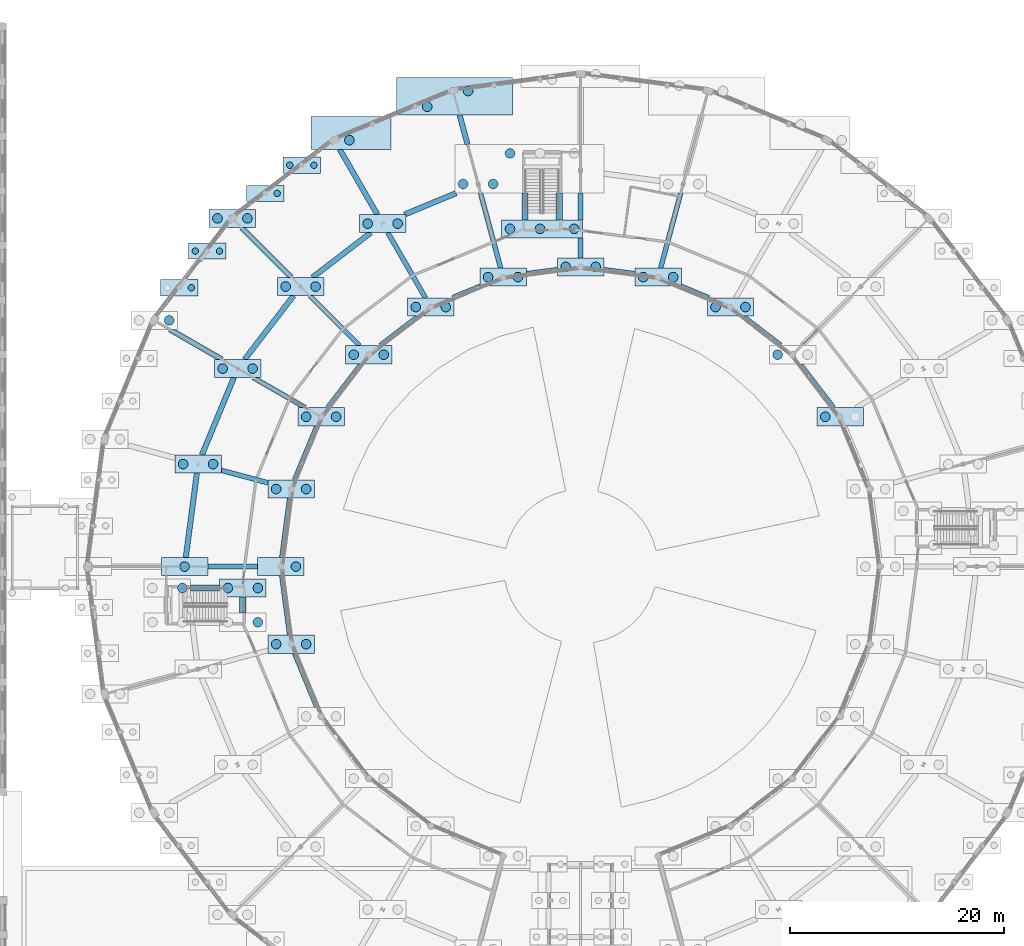
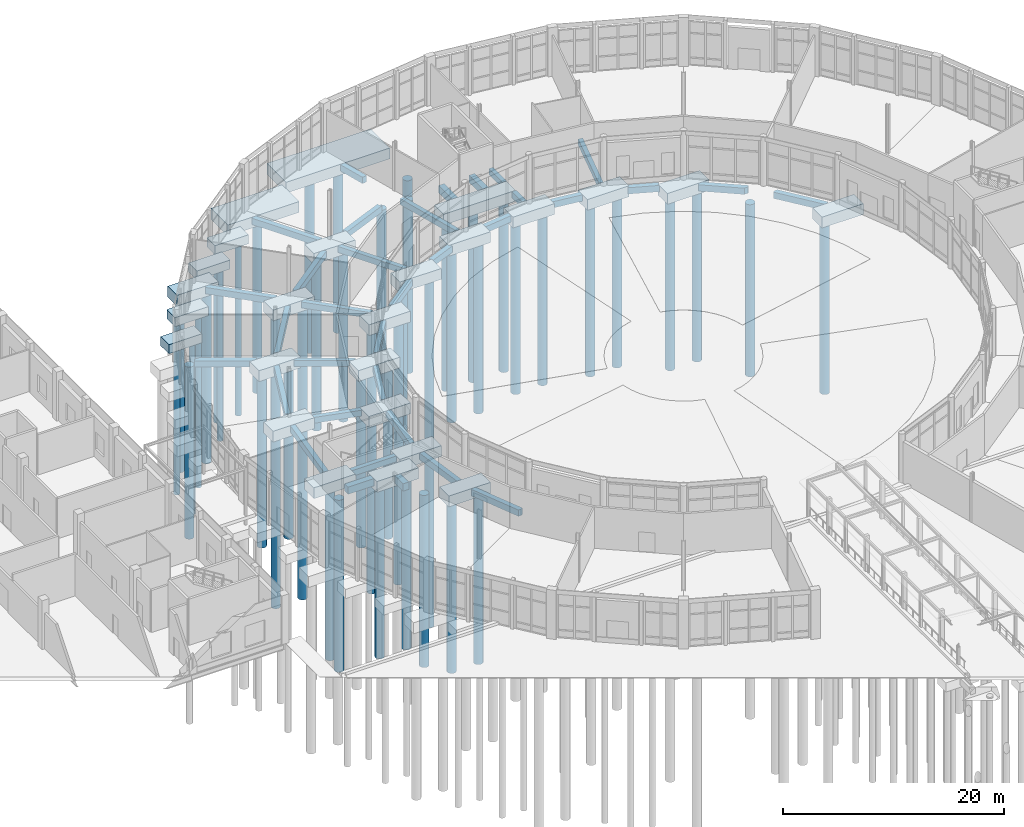
# One storey, part 3 of 137: 59 footings, 52 piles.
"""IFC4 building model written with IfcOpenShell, lengths in metres."""

from ifc_helpers import new_model, si_unit, direction, frame, origin, origin_2d, place, context, subcontext, project, spatial, polyline, rectangle, circle, outline, extrude, material, material_profile, profile_set, type_object, element, save


model = new_model("IFC4")

# Units and contexts
model_context = context("Model", 3, precision=1e-05, world=origin(), true_north=direction((0.0, 1.0)))
body_context = subcontext(model_context, "Body", "Model", "MODEL_VIEW")
ifc_project = project(units=[si_unit("LENGTHUNIT", "METRE"), si_unit("AREAUNIT", "SQUARE_METRE"), si_unit("VOLUMEUNIT", "CUBIC_METRE"), si_unit("PLANEANGLEUNIT", "RADIAN"), si_unit("MASSUNIT", "GRAM", prefix="KILO")], contexts=[model_context])

# Site, building, storey
site_placement = place(None, origin())
site = spatial("IfcSite", under=ifc_project, at=site_placement, CompositionType="ELEMENT")
building_placement = place(site_placement, origin())
building = spatial("IfcBuilding", under=site, at=building_placement, Name="Vondelvale Polytechnic", CompositionType="ELEMENT")
storey_placement = place(building_placement, origin())
storey = spatial("IfcBuildingStorey", under=building, at=storey_placement, Name="L00", CompositionType="ELEMENT", Elevation=0.0)

# Footings
ifc_material = material(Name="Concrete N40 (f'c = 40 MPa)", Category="concrete")
footing_type_1 = type_object("IfcFootingType", Name="GB-450x650", PredefinedType="FOOTING_BEAM", material=ifc_material)
footing_1_placement = place(storey_placement, frame((0.0, 0.0, -1.050048828125)))
element("IfcFooting", 1, at=footing_1_placement, inside=storey, type_object=footing_type_1, Name="Ground tie beam GB-081", PredefinedType="FOOTING_BEAM", context=body_context, shape_type="SweptSolid", body=[
    extrude(outline(polyline([(111.56591796875, 106.830810546875), (109.70751953125, 99.89599609375), (109.474609375, 99.89599609375), (109.25732421875, 99.9541015625), (111.115478515625, 106.888916015625), (111.348388671875, 106.888916015625), (111.56591796875, 106.830810546875)])), origin(), (0.0, 0.0, 1.0), 0.650146484375),
])
footing_2_placement = place(storey_placement, frame((0.0, 0.0, -1.050048828125)))
element("IfcFooting", 2, at=footing_2_placement, inside=storey, type_object=footing_type_1, Name="Ground tie beam GB-083", PredefinedType="FOOTING_BEAM", context=body_context, shape_type="SweptSolid", body=[
    extrude(outline(polyline([(102.22509765625, 102.699951171875), (102.22509765625, 100.85009765625), (101.77490234375, 100.85009765625), (101.77490234375, 102.699951171875), (102.169921875, 102.699951171875), (102.22509765625, 102.699951171875)])), origin(), (0.0, 0.0, 1.0), 0.650146484375),
])
footing_3_placement = place(storey_placement, frame((0.0, 0.0, -1.050048828125)))
element("IfcFooting", 3, at=footing_3_placement, inside=storey, type_object=footing_type_1, Name="Ground tie beam GB-084", PredefinedType="FOOTING_BEAM", context=body_context, shape_type="SweptSolid", body=[
    extrude(outline(polyline([(102.22509765625, 104.39990234375), (102.169921875, 104.39990234375), (101.77490234375, 104.39990234375), (101.77490234375, 106.888916015625), (102.22509765625, 106.888916015625), (102.22509765625, 104.39990234375)])), origin(), (0.0, 0.0, 1.0), 0.650146484375),
])
footing_4_placement = place(storey_placement, frame((0.0, 0.0, -1.050048828125)))
element("IfcFooting", 4, at=footing_4_placement, inside=storey, type_object=footing_type_1, Name="Ground tie beam GB-086", PredefinedType="FOOTING_BEAM", context=body_context, shape_type="SweptSolid", body=[
    extrude(outline(polyline([(94.74267578125, 99.9541015625), (94.525390625, 99.89599609375), (94.29248046875, 99.89599609375), (92.43408203125, 106.830810546875), (92.651611328125, 106.888916015625), (92.884521484375, 106.888916015625), (94.74267578125, 99.9541015625)])), origin(), (0.0, 0.0, 1.0), 0.650146484375),
])
footing_5_placement = place(storey_placement, frame((0.0, 0.0, -1.050048828125)))
element("IfcFooting", 5, at=footing_5_placement, inside=storey, type_object=footing_type_1, Name="Ground tie beam GB-088", PredefinedType="FOOTING_BEAM", context=body_context, shape_type="SweptSolid", body=[
    extrude(outline(polyline([(87.703857421875, 97.21142578125), (87.509033203125, 97.09912109375), (87.249267578125, 97.09912109375), (83.7958984375, 103.08056640625), (83.99072265625, 103.193115234375), (84.25048828125, 103.193115234375), (87.703857421875, 97.21142578125)])), origin(), (0.0, 0.0, 1.0), 0.650146484375),
])
footing_6_placement = place(storey_placement, frame((0.0, 0.0, -1.050048828125)))
element("IfcFooting", 6, at=footing_6_placement, inside=storey, type_object=footing_type_1, Name="Ground tie beam GB-090", PredefinedType="FOOTING_BEAM", context=body_context, shape_type="SweptSolid", body=[
    extrude(outline(polyline([(81.510009765625, 92.80810546875), (81.35107421875, 92.64892578125), (81.03271484375, 92.64892578125), (76.52783203125, 97.15380859375), (76.68701171875, 97.31298828125), (77.005126953125, 97.31298828125), (81.510009765625, 92.80810546875)])), origin(), (0.0, 0.0, 1.0), 0.650146484375),
])
footing_7_placement = place(storey_placement, frame((0.0, 0.0, -1.050048828125)))
element("IfcFooting", 7, at=footing_7_placement, inside=storey, type_object=footing_type_1, Name="Ground tie beam GB-092", PredefinedType="FOOTING_BEAM", context=body_context, shape_type="SweptSolid", body=[
    extrude(outline(polyline([(76.3916015625, 87.044921875), (76.279052734375, 86.85009765625), (75.8291015625, 86.85009765625), (71.31689453125, 89.455078125), (71.42919921875, 89.64990234375), (71.87939453125, 89.64990234375), (76.3916015625, 87.044921875)])), origin(), (0.0, 0.0, 1.0), 0.650146484375),
])
footing_8_placement = place(storey_placement, frame((0.0, 0.0, -1.050048828125)))
element("IfcFooting", 8, at=footing_8_placement, inside=storey, type_object=footing_type_1, Name="Ground tie beam GB-094", PredefinedType="FOOTING_BEAM", context=body_context, shape_type="SweptSolid", body=[
    extrude(outline(polyline([(68.4892578125, 81.212158203125), (72.783935546875, 80.061279296875), (72.783935546875, 79.828369140625), (72.725830078125, 79.611083984375), (68.430908203125, 80.76171875), (68.430908203125, 80.994873046875), (68.4892578125, 81.212158203125)])), origin(), (0.0, 0.0, 1.0), 0.650146484375),
])
footing_9_placement = place(storey_placement, frame((0.0, 0.0, -1.050048828125)))
element("IfcFooting", 9, at=footing_9_placement, inside=storey, type_object=footing_type_1, Name="Ground tie beam GB-096", PredefinedType="FOOTING_BEAM", context=body_context, shape_type="SweptSolid", body=[
    extrude(outline(polyline([(71.830078125, 72.22509765625), (71.830078125, 71.77490234375), (67.169921875, 71.77490234375), (67.169921875, 72.22509765625), (71.830078125, 72.22509765625)])), origin(), (0.0, 0.0, 1.0), 0.650146484375),
])
footing_type_2 = type_object("IfcFootingType", Name="GB-500x700", PredefinedType="FOOTING_BEAM", material=ifc_material)
footing_10_placement = place(storey_placement, frame((0.0, 0.0, -1.10009765625)))
element("IfcFooting", 10, at=footing_10_placement, inside=storey, type_object=footing_type_2, Name="Ground tie beam GB-087", PredefinedType="FOOTING_BEAM", context=body_context, shape_type="SweptSolid", body=[
    extrude(outline(polyline([(91.6708984375, 111.5146484375), (91.429443359375, 111.449951171875), (91.170654296875, 111.449951171875), (90.44775390625, 114.147216796875), (90.689208984375, 114.2119140625), (90.947998046875, 114.2119140625), (91.6708984375, 111.5146484375)])), origin(), (0.0, 0.0, 1.0), 0.7001953125),
])
footing_11_placement = place(storey_placement, frame((0.0, 0.0, -1.10009765625)))
element("IfcFooting", 11, at=footing_11_placement, inside=storey, type_object=footing_type_2, Name="Ground tie beam GB-089", PredefinedType="FOOTING_BEAM", context=body_context, shape_type="SweptSolid", body=[
    extrude(outline(polyline([(83.2255859375, 105.01806640625), (83.00927734375, 104.89306640625), (82.720458984375, 104.89306640625), (79.2744140625, 110.862060546875), (79.490966796875, 110.987060546875), (79.779541015625, 110.987060546875), (83.2255859375, 105.01806640625)])), origin(), (0.0, 0.0, 1.0), 0.7001953125),
])
footing_12_placement = place(storey_placement, frame((0.0, 0.0, -1.10009765625)))
element("IfcFooting", 12, at=footing_12_placement, inside=storey, type_object=footing_type_2, Name="Ground tie beam GB-091", PredefinedType="FOOTING_BEAM", context=body_context, shape_type="SweptSolid", body=[
    extrude(outline(polyline([(75.163818359375, 99.189697265625), (74.987060546875, 99.012939453125), (74.63330078125, 99.012939453125), (70.146240234375, 103.500244140625), (70.322998046875, 103.677001953125), (70.676513671875, 103.677001953125), (75.163818359375, 99.189697265625)])), origin(), (0.0, 0.0, 1.0), 0.7001953125),
])
footing_13_placement = place(storey_placement, frame((0.0, 0.0, -1.10009765625)))
element("IfcFooting", 13, at=footing_13_placement, inside=storey, type_object=footing_type_2, Name="Ground tie beam GB-093", PredefinedType="FOOTING_BEAM", context=body_context, shape_type="SweptSolid", body=[
    extrude(outline(polyline([(68.60986328125, 91.56640625), (68.48486328125, 91.35009765625), (67.98486328125, 91.35009765625), (63.510009765625, 93.93359375), (63.635009765625, 94.14990234375), (64.135009765625, 94.14990234375), (68.60986328125, 91.56640625)])), origin(), (0.0, 0.0, 1.0), 0.7001953125),
])
footing_14_placement = place(storey_placement, frame((0.0, 0.0, -1.10009765625)))
element("IfcFooting", 14, at=footing_14_placement, inside=storey, type_object=footing_type_2, Name="Ground tie beam GB-122", PredefinedType="FOOTING_BEAM", context=body_context, shape_type="SweptSolid", body=[
    extrude(outline(polyline([(125.794921875, 87.002197265625), (125.596435546875, 86.85009765625), (125.281494140625, 86.85009765625), (122.2529296875, 90.796875), (122.451171875, 90.948974609375), (122.766357421875, 90.948974609375), (125.794921875, 87.002197265625)])), origin(), (0.0, 0.0, 1.0), 0.7001953125),
])
footing_15_placement = place(storey_placement, frame((0.0, 0.0, -1.10009765625)))
element("IfcFooting", 15, at=footing_15_placement, inside=storey, type_object=footing_type_2, Name="Ground tie beam GB-124", PredefinedType="FOOTING_BEAM", context=body_context, shape_type="SweptSolid", body=[
    extrude(outline(polyline([(120.843505859375, 92.847412109375), (120.69140625, 92.64892578125), (120.280517578125, 92.64892578125), (116.955078125, 95.20068359375), (117.107421875, 95.39892578125), (117.51806640625, 95.39892578125), (120.843505859375, 92.847412109375)])), origin(), (0.0, 0.0, 1.0), 0.7001953125),
])
footing_16_placement = place(storey_placement, frame((0.0, 0.0, -1.10009765625)))
element("IfcFooting", 16, at=footing_16_placement, inside=storey, type_object=footing_type_2, Name="Ground tie beam GB-126", PredefinedType="FOOTING_BEAM", context=body_context, shape_type="SweptSolid", body=[
    extrude(outline(polyline([(114.042724609375, 97.330078125), (113.947265625, 97.09912109375), (113.830078125, 97.09912109375), (113.830078125, 96.876953125), (111.203125, 97.965087890625), (111.298828125, 98.196044921875), (111.4169921875, 98.196044921875), (111.4169921875, 98.41748046875), (114.042724609375, 97.330078125)])), origin(), (0.0, 0.0, 1.0), 0.7001953125),
])
footing_17_placement = place(storey_placement, frame((0.0, 0.0, -1.10009765625)))
element("IfcFooting", 17, at=footing_17_placement, inside=storey, type_object=footing_type_2, Name="Ground tie beam GB-128", PredefinedType="FOOTING_BEAM", context=body_context, shape_type="SweptSolid", body=[
    extrude(outline(polyline([(104.20263671875, 99.962158203125), (107.076904296875, 99.583740234375), (107.076904296875, 99.33154296875), (107.04443359375, 99.083740234375), (104.169921875, 99.462158203125), (104.169921875, 99.71435546875), (104.20263671875, 99.962158203125)])), origin(), (0.0, 0.0, 1.0), 0.7001953125),
])
footing_18_placement = place(storey_placement, frame((0.0, 0.0, -1.10009765625)))
element("IfcFooting", 18, at=footing_18_placement, inside=storey, type_object=footing_type_2, Name="Ground tie beam GB-130", PredefinedType="FOOTING_BEAM", context=body_context, shape_type="SweptSolid", body=[
    extrude(outline(polyline([(99.79736328125, 99.962158203125), (99.830078125, 99.71435546875), (99.830078125, 99.462158203125), (96.95556640625, 99.083740234375), (96.923095703125, 99.33154296875), (96.923095703125, 99.583740234375), (99.79736328125, 99.962158203125)])), origin(), (0.0, 0.0, 1.0), 0.7001953125),
])
footing_19_placement = place(storey_placement, frame((0.0, 0.0, -1.10009765625)))
element("IfcFooting", 19, at=footing_19_placement, inside=storey, type_object=footing_type_2, Name="Ground tie beam GB-131", PredefinedType="FOOTING_BEAM", context=body_context, shape_type="SweptSolid", body=[
    extrude(outline(polyline([(89.957275390625, 97.330078125), (92.5830078125, 98.41748046875), (92.5830078125, 98.196044921875), (92.701171875, 98.196044921875), (92.796875, 97.965087890625), (90.169921875, 96.876953125), (90.169921875, 97.09912109375), (90.052734375, 97.09912109375), (89.957275390625, 97.330078125)])), origin(), (0.0, 0.0, 1.0), 0.7001953125),
])
footing_20_placement = place(storey_placement, frame((0.0, 0.0, -1.10009765625)))
element("IfcFooting", 20, at=footing_20_placement, inside=storey, type_object=footing_type_2, Name="Ground tie beam GB-132", PredefinedType="FOOTING_BEAM", context=body_context, shape_type="SweptSolid", body=[
    extrude(outline(polyline([(85.45654296875, 105.1240234375), (90.25390625, 107.111083984375), (90.25390625, 106.888916015625), (90.370849609375, 106.888916015625), (90.466552734375, 106.657958984375), (85.669921875, 104.671142578125), (85.669921875, 104.89306640625), (85.55224609375, 104.89306640625), (85.45654296875, 105.1240234375)])), origin(), (0.0, 0.0, 1.0), 0.7001953125),
])
footing_21_placement = place(storey_placement, frame((0.0, 0.0, -1.10009765625)))
element("IfcFooting", 21, at=footing_21_placement, inside=storey, type_object=footing_type_2, Name="Ground tie beam GB-133", PredefinedType="FOOTING_BEAM", context=body_context, shape_type="SweptSolid", body=[
    extrude(outline(polyline([(83.156494140625, 92.847412109375), (86.48193359375, 95.39892578125), (86.892578125, 95.39892578125), (87.044921875, 95.20068359375), (83.719482421875, 92.64892578125), (83.30859375, 92.64892578125), (83.156494140625, 92.847412109375)])), origin(), (0.0, 0.0, 1.0), 0.7001953125),
])
footing_22_placement = place(storey_placement, frame((0.0, 0.0, -1.10009765625)))
element("IfcFooting", 22, at=footing_22_placement, inside=storey, type_object=footing_type_2, Name="Ground tie beam GB-134", PredefinedType="FOOTING_BEAM", context=body_context, shape_type="SweptSolid", body=[
    extrude(outline(polyline([(76.79248046875, 99.211181640625), (81.981689453125, 103.193115234375), (82.392333984375, 103.193115234375), (82.544677734375, 102.99462890625), (77.35546875, 99.012939453125), (76.94482421875, 99.012939453125), (76.79248046875, 99.211181640625)])), origin(), (0.0, 0.0, 1.0), 0.7001953125),
])
footing_23_placement = place(storey_placement, frame((0.0, 0.0, -1.10009765625)))
element("IfcFooting", 23, at=footing_23_placement, inside=storey, type_object=footing_type_2, Name="Ground tie beam GB-135", PredefinedType="FOOTING_BEAM", context=body_context, shape_type="SweptSolid", body=[
    extrude(outline(polyline([(78.205078125, 87.002197265625), (81.233642578125, 90.948974609375), (81.548828125, 90.948974609375), (81.7470703125, 90.796875), (78.718505859375, 86.85009765625), (78.403564453125, 86.85009765625), (78.205078125, 87.002197265625)])), origin(), (0.0, 0.0, 1.0), 0.7001953125),
])
footing_24_placement = place(storey_placement, frame((0.0, 0.0, -1.10009765625)))
element("IfcFooting", 24, at=footing_24_placement, inside=storey, type_object=footing_type_2, Name="Ground tie beam GB-136", PredefinedType="FOOTING_BEAM", context=body_context, shape_type="SweptSolid", body=[
    extrude(outline(polyline([(70.410888671875, 91.502197265625), (74.86962890625, 97.31298828125), (75.184814453125, 97.31298828125), (75.383056640625, 97.160888671875), (70.92431640625, 91.35009765625), (70.609375, 91.35009765625), (70.410888671875, 91.502197265625)])), origin(), (0.0, 0.0, 1.0), 0.7001953125),
])
footing_25_placement = place(storey_placement, frame((0.0, 0.0, -1.10009765625)))
element("IfcFooting", 25, at=footing_25_placement, inside=storey, type_object=footing_type_2, Name="Ground tie beam GB-137", PredefinedType="FOOTING_BEAM", context=body_context, shape_type="SweptSolid", body=[
    extrude(outline(polyline([(75.0751953125, 80.192626953125), (77.128662109375, 85.14990234375), (77.399169921875, 85.14990234375), (77.630126953125, 85.05419921875), (75.576904296875, 80.096923828125), (75.30615234375, 80.096923828125), (75.0751953125, 80.192626953125)])), origin(), (0.0, 0.0, 1.0), 0.7001953125),
])
footing_26_placement = place(storey_placement, frame((0.0, 0.0, -1.10009765625)))
element("IfcFooting", 26, at=footing_26_placement, inside=storey, type_object=footing_type_2, Name="Ground tie beam GB-138", PredefinedType="FOOTING_BEAM", context=body_context, shape_type="SweptSolid", body=[
    extrude(outline(polyline([(66.381591796875, 82.521728515625), (69.33447265625, 89.64990234375), (69.60498046875, 89.64990234375), (69.8359375, 89.55419921875), (66.88330078125, 82.426025390625), (66.61279296875, 82.426025390625), (66.381591796875, 82.521728515625)])), origin(), (0.0, 0.0, 1.0), 0.7001953125),
])
footing_27_placement = place(storey_placement, frame((0.0, 0.0, -1.10009765625)))
element("IfcFooting", 27, at=footing_27_placement, inside=storey, type_object=footing_type_2, Name="Ground tie beam GB-139", PredefinedType="FOOTING_BEAM", context=body_context, shape_type="SweptSolid", body=[
    extrude(outline(polyline([(73.864013671875, 72.882568359375), (74.590087890625, 78.39697265625), (74.84228515625, 78.39697265625), (75.090087890625, 78.364501953125), (74.364013671875, 72.85009765625), (74.11181640625, 72.85009765625), (73.864013671875, 72.882568359375)])), origin(), (0.0, 0.0, 1.0), 0.7001953125),
])
footing_28_placement = place(storey_placement, frame((0.0, 0.0, -1.10009765625)))
element("IfcFooting", 28, at=footing_28_placement, inside=storey, type_object=footing_type_2, Name="Ground tie beam GB-140", PredefinedType="FOOTING_BEAM", context=body_context, shape_type="SweptSolid", body=[
    extrude(outline(polyline([(64.864013671875, 72.882568359375), (65.896484375, 80.72607421875), (66.148681640625, 80.72607421875), (66.396484375, 80.693359375), (65.364013671875, 72.85009765625), (65.11181640625, 72.85009765625), (64.864013671875, 72.882568359375)])), origin(), (0.0, 0.0, 1.0), 0.7001953125),
])
footing_29_placement = place(storey_placement, frame((0.0, 0.0, -1.10009765625)))
element("IfcFooting", 29, at=footing_29_placement, inside=storey, type_object=footing_type_2, Name="Ground tie beam GB-141", PredefinedType="FOOTING_BEAM", context=body_context, shape_type="SweptSolid", body=[
    extrude(outline(polyline([(73.864013671875, 71.117431640625), (74.11181640625, 71.14990234375), (74.364013671875, 71.14990234375), (75.090087890625, 65.635498046875), (74.84228515625, 65.60302734375), (74.590087890625, 65.60302734375), (73.864013671875, 71.117431640625)])), origin(), (0.0, 0.0, 1.0), 0.7001953125),
])
footing_30_placement = place(storey_placement, frame((0.0, 0.0, -1.10009765625)))
element("IfcFooting", 30, at=footing_30_placement, inside=storey, type_object=footing_type_2, Name="Ground tie beam GB-143", PredefinedType="FOOTING_BEAM", context=body_context, shape_type="SweptSolid", body=[
    extrude(outline(polyline([(75.0751953125, 63.807373046875), (75.30615234375, 63.903076171875), (75.576904296875, 63.903076171875), (77.630126953125, 58.94580078125), (77.399169921875, 58.85009765625), (77.128662109375, 58.85009765625), (75.0751953125, 63.807373046875)])), origin(), (0.0, 0.0, 1.0), 0.7001953125),
])
footing_type_3 = type_object("IfcFootingType", Name="GB-600x800", PredefinedType="FOOTING_BEAM", material=ifc_material)
footing_31_placement = place(storey_placement, frame((0.0, 0.0, -1.199951171875)))
element("IfcFooting", 31, at=footing_31_placement, inside=storey, type_object=footing_type_3, Name="Ground tie beam GB-214", PredefinedType="FOOTING_BEAM", context=body_context, shape_type="SweptSolid", body=[
    extrude(outline(polyline([(100.300048828125, 104.39990234375), (99.699951171875, 104.39990234375), (99.699951171875, 106.888916015625), (100.300048828125, 106.888916015625), (100.300048828125, 104.39990234375)])), origin(), (0.0, 0.0, 1.0), 0.800048828125),
])
footing_32_placement = place(storey_placement, frame((0.0, 0.0, -1.199951171875)))
element("IfcFooting", 32, at=footing_32_placement, inside=storey, type_object=footing_type_3, Name="Ground tie beam GB-215", PredefinedType="FOOTING_BEAM", context=body_context, shape_type="SweptSolid", body=[
    extrude(outline(polyline([(96.5, 106.888916015625), (97.10009765625, 106.888916015625), (97.10009765625, 104.39990234375), (96.5, 104.39990234375), (96.5, 106.888916015625)])), origin(), (0.0, 0.0, 1.0), 0.800048828125),
])
footing_33_placement = place(storey_placement, frame((0.0, 0.0, -1.199951171875)))
element("IfcFooting", 33, at=footing_33_placement, inside=storey, type_object=footing_type_3, Name="Ground tie beam GB-216", PredefinedType="FOOTING_BEAM", context=body_context, shape_type="SweptSolid", body=[
    extrude(outline(polyline([(68.280029296875, 70.300048828125), (68.280029296875, 69.699951171875), (65.570068359375, 69.699951171875), (65.570068359375, 70.300048828125), (68.280029296875, 70.300048828125)])), origin(), (0.0, 0.0, 1.0), 0.800048828125),
])
footing_34_placement = place(storey_placement, frame((0.0, 0.0, -1.199951171875)))
element("IfcFooting", 34, at=footing_34_placement, inside=storey, type_object=footing_type_3, Name="Ground tie beam GB-219", PredefinedType="FOOTING_BEAM", context=body_context, shape_type="SweptSolid", body=[
    extrude(outline(polyline([(70.75, 67.64990234375), (70.14990234375, 67.64990234375), (70.14990234375, 69.14990234375), (70.75, 69.14990234375), (70.75, 67.64990234375)])), origin(), (0.0, 0.0, 1.0), 0.800048828125),
])
footing_type_4 = type_object("IfcFootingType", Name="PC-10850x3472x1200", PredefinedType="PILE_CAP", material=ifc_material)
footing_35_placement = place(storey_placement, frame((90.22412109375, 115.947998046875, -1.60009765625), z_axis=(0.0, 0.0, 1.0), x_axis=(1.0, 0.0, 0.0)))
element("IfcFooting", 35, at=footing_35_placement, inside=storey, type_object=footing_type_4, Name="Pile cap PC-132", PredefinedType="PILE_CAP", context=body_context, shape_type="SweptSolid", body=[
    extrude(rectangle(XDim=10.85009765625, YDim=3.471923828125, at=origin_2d()), origin(), (0.0, 0.0, 1.0), 1.199951171875),
])
footing_type_5 = type_object("IfcFootingType", Name="PC-3490x1500x1000", PredefinedType="PILE_CAP", material=ifc_material)
for number, where, z_axis, x_axis, name in (
    (36, (64.501953125, 98.049072265625, -1.39990234375), (0.0, 0.0, 1.0), (1.0, 0.0, 0.0), "Pile cap PC-102"),
    (37, (67.134033203125, 101.47802734375, -1.39990234375), (0.0, 0.0, 1.0), (1.0, 0.0, 0.0), "Pile cap PC-107"),
    (38, (72.52197265625, 106.865966796875, -1.39990234375), (0.0, 0.0, 1.0), (1.0, 0.0, 0.0), "Pile cap PC-115"),
    (39, (75.950927734375, 109.498046875, -1.39990234375), (0.0, 0.0, 1.0), (1.0, 0.0, 0.0), "Pile cap PC-122"),
):
    element("IfcFooting", number, at=place(storey_placement, frame(where, z_axis=z_axis, x_axis=x_axis)), inside=storey, type_object=footing_type_5, Name=name, PredefinedType="PILE_CAP", context=body_context, shape_type="SweptSolid", body=[
        extrude(rectangle(XDim=3.489990234375, YDim=1.5, at=origin_2d()), origin(), (0.0, 0.0, 1.0), 1.0),
    ])
footing_type_6 = type_object("IfcFootingType", Name="PC-4340x1700x1200", PredefinedType="PILE_CAP", material=ifc_material)
for number, where, z_axis, x_axis, name in (
    (40, (65.0, 72.0, -1.60009765625), (0.0, 0.0, 1.0), (1.0, 0.0, 0.0), "Pile cap PC-103"),
    (41, (66.260986328125, 81.575927734375, -1.60009765625), (0.0, 0.0, 1.0), (1.0, 0.0, 0.0), "Pile cap PC-105"),
    (42, (69.472900390625, 104.527099609375, -1.60009765625), (0.0, 0.0, 1.0), (1.0, 0.0, 0.0), "Pile cap PC-109"),
    (43, (69.95703125, 90.5, -1.60009765625), (0.0, 0.0, 1.0), (1.0, 0.0, 0.0), "Pile cap PC-111"),
    (44, (70.449951171875, 70.0, -1.60009765625), (0.0, 0.0, 1.0), (1.0, 0.0, 0.0), "Pile cap PC-113"),
    (45, (74.0, 72.0, -1.60009765625), (0.0, 0.0, 1.0), (1.0, 0.0, 0.0), "Pile cap PC-116"),
    (46, (74.9541015625, 64.7529296875, -1.60009765625), (0.0, 0.0, 1.0), (1.0, 0.0, 0.0), "Pile cap PC-117"),
    (47, (74.9541015625, 79.2470703125, -1.60009765625), (0.0, 0.0, 1.0), (1.0, 0.0, 0.0), "Pile cap PC-118"),
    (48, (75.8369140625, 98.1630859375, -1.60009765625), (0.0, 0.0, 1.0), (1.0, 0.0, 0.0), "Pile cap PC-120"),
    (49, (77.7509765625, 86.0, -1.60009765625), (0.0, 0.0, 1.0), (1.0, 0.0, 0.0), "Pile cap PC-124"),
    (50, (82.200927734375, 91.799072265625, -1.60009765625), (0.0, 0.0, 1.0), (1.0, 0.0, 0.0), "Pile cap PC-128"),
    (51, (83.5, 104.04296875, -1.60009765625), (0.0, 0.0, 1.0), (1.0, 0.0, 0.0), "Pile cap PC-130"),
    (52, (88.0, 96.2490234375, -1.60009765625), (0.0, 0.0, 1.0), (1.0, 0.0, 0.0), "Pile cap PC-134"),
    (53, (94.7529296875, 99.0458984375, -1.60009765625), (0.0, 0.0, 1.0), (1.0, 0.0, 0.0), "Pile cap PC-138"),
    (54, (102.0, 100.0, -1.60009765625), (0.0, 0.0, 1.0), (1.0, 0.0, 0.0), "Pile cap PC-154"),
    (55, (109.2470703125, 99.0458984375, -1.60009765625), (0.0, 0.0, 1.0), (1.0, 0.0, 0.0), "Pile cap PC-169"),
    (56, (116.0, 96.2490234375, -1.60009765625), (0.0, 0.0, 1.0), (1.0, 0.0, 0.0), "Pile cap PC-175"),
    (57, (126.2490234375, 86.0, -1.60009765625), (0.0, 0.0, 1.0), (1.0, 0.0, 0.0), "Pile cap PC-183"),
):
    element("IfcFooting", number, at=place(storey_placement, frame(where, z_axis=z_axis, x_axis=x_axis)), inside=storey, type_object=footing_type_6, Name=name, PredefinedType="PILE_CAP", context=body_context, shape_type="SweptSolid", body=[
        extrude(rectangle(XDim=4.340087890625, YDim=1.699951171875, at=origin_2d()), origin(), (0.0, 0.0, 1.0), 1.199951171875),
    ])
footing_type_7 = type_object("IfcFootingType", Name="PC-7465x3071x1200", PredefinedType="PILE_CAP", material=ifc_material)
footing_36_placement = place(storey_placement, frame((80.56201171875, 112.52294921875, -1.60009765625), z_axis=(0.0, 0.0, 1.0), x_axis=(1.0, 0.0, 0.0)))
element("IfcFooting", 58, at=footing_36_placement, inside=storey, type_object=footing_type_7, Name="Pile cap PC-126", PredefinedType="PILE_CAP", context=body_context, shape_type="SweptSolid", body=[
    extrude(rectangle(XDim=7.465087890625, YDim=3.071044921875, at=origin_2d()), origin(), (0.0, 0.0, 1.0), 1.199951171875),
])
footing_type_8 = type_object("IfcFootingType", Name="PC-7540x1700x1200", PredefinedType="PILE_CAP", material=ifc_material)
footing_37_placement = place(storey_placement, frame((98.39990234375, 103.550048828125, -1.60009765625), z_axis=(0.0, 0.0, 1.0), x_axis=(1.0, 0.0, 0.0)))
element("IfcFooting", 59, at=footing_37_placement, inside=storey, type_object=footing_type_8, Name="Pile cap PC-142", PredefinedType="PILE_CAP", context=body_context, shape_type="SweptSolid", body=[
    extrude(rectangle(XDim=7.5400390625, YDim=1.699951171875, at=origin_2d()), origin(), (0.0, 0.0, 1.0), 1.199951171875),
])

# Piles
ifc_material_profile_1 = material_profile(ifc_material, circle(Radius=0.300048828125, at=origin_2d()), Name="PILE-D600")
ifc_profile_set_1 = profile_set([ifc_material_profile_1], Name="Concrete N40 (f'c = 40 MPa)")
pile_type_1 = type_object("IfcPileType", Name="PILE-BORED-600", PredefinedType="BORED", material=ifc_profile_set_1)
for number, where, z_axis, x_axis, name in (
    (60, (65.626953125, 98.049072265625, -1.25), (0.0, 0.0, -1.0), (1.0, 0.0, 0.0), "Bored pile BP-600-102-2"),
    (61, (66.009033203125, 101.47802734375, -1.25), (0.0, 0.0, -1.0), (1.0, 0.0, 0.0), "Bored pile BP-600-107-1"),
    (62, (68.259033203125, 101.47802734375, -1.25), (0.0, 0.0, -1.0), (1.0, 0.0, 0.0), "Bored pile BP-600-107-2"),
    (63, (73.64697265625, 106.865966796875, -1.25), (0.0, 0.0, -1.0), (1.0, 0.0, 0.0), "Bored pile BP-600-115-1"),
    (64, (74.825927734375, 109.498046875, -1.25), (0.0, 0.0, -1.0), (1.0, 0.0, 0.0), "Bored pile BP-600-122-1"),
    (65, (77.075927734375, 109.498046875, -1.25), (0.0, 0.0, -1.0), (1.0, 0.0, 0.0), "Bored pile BP-600-122-2"),
):
    element("IfcPile", number, at=place(storey_placement, frame(where, z_axis=z_axis, x_axis=x_axis)), inside=storey, type_object=pile_type_1, Name=name, PredefinedType="BORED", context=body_context, shape_type="SweptSolid", body=[
        extrude(circle(Radius=0.300048828125, at=origin_2d()), origin(), (0.0, 0.0, 1.0), 19.25),
    ])
ifc_material_profile_2 = material_profile(ifc_material, circle(Radius=0.449951171875, at=origin_2d()), Name="PILE-D900")
ifc_profile_set_2 = profile_set([ifc_material_profile_2], Name="Concrete N40 (f'c = 40 MPa)")
pile_type_2 = type_object("IfcPileType", Name="PILE-BORED-900", PredefinedType="BORED", material=ifc_profile_set_2)
for number, where, z_axis, x_axis, name in (
    (66, (63.56298828125, 95.0, -1.449951171875), (0.0, 0.0, -1.0), (1.0, 0.0, 0.0), "Bored pile BP-900-098-2"),
    (67, (64.800048828125, 70.0, -1.449951171875), (0.0, 0.0, -1.0), (1.0, 0.0, 0.0), "Bored pile BP-900-100-2"),
    (68, (65.0, 72.0, -1.449951171875), (0.0, 0.0, -1.0), (1.0, 0.0, 0.0), "Bored pile BP-900-103-1"),
    (69, (64.861083984375, 81.575927734375, -1.449951171875), (0.0, 0.0, -1.0), (1.0, 0.0, 0.0), "Bored pile BP-900-105-1"),
    (70, (67.660888671875, 81.575927734375, -1.449951171875), (0.0, 0.0, -1.0), (1.0, 0.0, 0.0), "Bored pile BP-900-105-2"),
    (71, (68.072998046875, 104.527099609375, -1.449951171875), (0.0, 0.0, -1.0), (1.0, 0.0, 0.0), "Bored pile BP-900-109-1"),
    (72, (70.873046875, 104.527099609375, -1.449951171875), (0.0, 0.0, -1.0), (1.0, 0.0, 0.0), "Bored pile BP-900-109-2"),
    (73, (68.556884765625, 90.5, -1.449951171875), (0.0, 0.0, -1.0), (1.0, 0.0, 0.0), "Bored pile BP-900-111-1"),
    (74, (71.35693359375, 90.5, -1.449951171875), (0.0, 0.0, -1.0), (1.0, 0.0, 0.0), "Bored pile BP-900-111-2"),
    (75, (71.85009765625, 66.800048828125, -1.449951171875), (0.0, 0.0, -1.0), (1.0, 0.0, 0.0), "Bored pile BP-900-112-2"),
    (76, (69.050048828125, 70.0, -1.449951171875), (0.0, 0.0, -1.0), (1.0, 0.0, 0.0), "Bored pile BP-900-113-1"),
    (77, (71.85009765625, 70.0, -1.449951171875), (0.0, 0.0, -1.0), (1.0, 0.0, 0.0), "Bored pile BP-900-113-2"),
    (78, (75.39990234375, 72.0, -1.449951171875), (0.0, 0.0, -1.0), (1.0, 0.0, 0.0), "Bored pile BP-900-116-1"),
    (79, (73.553955078125, 64.7529296875, -1.449951171875), (0.0, 0.0, -1.0), (1.0, 0.0, 0.0), "Bored pile BP-900-117-1"),
    (80, (76.35400390625, 64.7529296875, -1.449951171875), (0.0, 0.0, -1.0), (1.0, 0.0, 0.0), "Bored pile BP-900-117-2"),
    (81, (73.553955078125, 79.2470703125, -1.449951171875), (0.0, 0.0, -1.0), (1.0, 0.0, 0.0), "Bored pile BP-900-118-1"),
    (82, (76.35400390625, 79.2470703125, -1.449951171875), (0.0, 0.0, -1.0), (1.0, 0.0, 0.0), "Bored pile BP-900-118-2"),
    (83, (74.43701171875, 98.1630859375, -1.449951171875), (0.0, 0.0, -1.0), (1.0, 0.0, 0.0), "Bored pile BP-900-120-1"),
    (84, (77.237060546875, 98.1630859375, -1.449951171875), (0.0, 0.0, -1.0), (1.0, 0.0, 0.0), "Bored pile BP-900-120-2"),
    (85, (76.35107421875, 86.0, -1.449951171875), (0.0, 0.0, -1.0), (1.0, 0.0, 0.0), "Bored pile BP-900-124-1"),
    (86, (79.15087890625, 86.0, -1.449951171875), (0.0, 0.0, -1.0), (1.0, 0.0, 0.0), "Bored pile BP-900-124-2"),
    (87, (80.39990234375, 111.8369140625, -1.449951171875), (0.0, 0.0, -1.0), (1.0, 0.0, 0.0), "Bored pile BP-900-126-1"),
    (88, (80.801025390625, 91.799072265625, -1.449951171875), (0.0, 0.0, -1.0), (1.0, 0.0, 0.0), "Bored pile BP-900-128-1"),
    (89, (83.60107421875, 91.799072265625, -1.449951171875), (0.0, 0.0, -1.0), (1.0, 0.0, 0.0), "Bored pile BP-900-128-2"),
    (90, (82.10009765625, 104.04296875, -1.449951171875), (0.0, 0.0, -1.0), (1.0, 0.0, 0.0), "Bored pile BP-900-130-1"),
    (91, (84.89990234375, 104.04296875, -1.449951171875), (0.0, 0.0, -1.0), (1.0, 0.0, 0.0), "Bored pile BP-900-130-2"),
    (92, (87.6689453125, 114.9619140625, -1.449951171875), (0.0, 0.0, -1.0), (1.0, 0.0, 0.0), "Bored pile BP-900-132-1"),
    (93, (91.493896484375, 116.43310546875, -1.449951171875), (0.0, 0.0, -1.0), (1.0, 0.0, 0.0), "Bored pile BP-900-132-2"),
    (94, (86.60009765625, 96.2490234375, -1.449951171875), (0.0, 0.0, -1.0), (1.0, 0.0, 0.0), "Bored pile BP-900-134-1"),
    (95, (89.39990234375, 96.2490234375, -1.449951171875), (0.0, 0.0, -1.0), (1.0, 0.0, 0.0), "Bored pile BP-900-134-2"),
    (96, (91.02392578125, 107.739013671875, -1.449951171875), (0.0, 0.0, -1.0), (1.0, 0.0, 0.0), "Bored pile BP-900-136-1"),
    (97, (93.823974609375, 107.739013671875, -1.449951171875), (0.0, 0.0, -1.0), (1.0, 0.0, 0.0), "Bored pile BP-900-136-2"),
    (98, (95.39990234375, 110.60009765625, -1.449951171875), (0.0, 0.0, -1.0), (1.0, 0.0, 0.0), "Bored pile BP-900-136-3"),
    (99, (93.35302734375, 99.0458984375, -1.449951171875), (0.0, 0.0, -1.0), (1.0, 0.0, 0.0), "Bored pile BP-900-138-1"),
    (100, (96.153076171875, 99.0458984375, -1.449951171875), (0.0, 0.0, -1.0), (1.0, 0.0, 0.0), "Bored pile BP-900-138-2"),
    (101, (95.39990234375, 103.550048828125, -1.449951171875), (0.0, 0.0, -1.0), (1.0, 0.0, 0.0), "Bored pile BP-900-142-1"),
    (102, (98.199951171875, 103.550048828125, -1.449951171875), (0.0, 0.0, -1.0), (1.0, 0.0, 0.0), "Bored pile BP-900-142-2"),
    (103, (101.39990234375, 103.550048828125, -1.449951171875), (0.0, 0.0, -1.0), (1.0, 0.0, 0.0), "Bored pile BP-900-142-3"),
    (104, (100.60009765625, 100.0, -1.449951171875), (0.0, 0.0, -1.0), (1.0, 0.0, 0.0), "Bored pile BP-900-154-1"),
    (105, (103.39990234375, 100.0, -1.449951171875), (0.0, 0.0, -1.0), (1.0, 0.0, 0.0), "Bored pile BP-900-154-2"),
    (106, (107.846923828125, 99.0458984375, -1.449951171875), (0.0, 0.0, -1.0), (1.0, 0.0, 0.0), "Bored pile BP-900-169-1"),
    (107, (110.64697265625, 99.0458984375, -1.449951171875), (0.0, 0.0, -1.0), (1.0, 0.0, 0.0), "Bored pile BP-900-169-2"),
    (108, (114.60009765625, 96.2490234375, -1.449951171875), (0.0, 0.0, -1.0), (1.0, 0.0, 0.0), "Bored pile BP-900-175-1"),
    (109, (117.39990234375, 96.2490234375, -1.449951171875), (0.0, 0.0, -1.0), (1.0, 0.0, 0.0), "Bored pile BP-900-175-2"),
    (110, (120.39892578125, 91.799072265625, -1.449951171875), (0.0, 0.0, -1.0), (1.0, 0.0, 0.0), "Bored pile BP-900-181-1"),
    (111, (124.84912109375, 86.0, -1.449951171875), (0.0, 0.0, -1.0), (1.0, 0.0, 0.0), "Bored pile BP-900-183-1"),
):
    element("IfcPile", number, at=place(storey_placement, frame(where, z_axis=z_axis, x_axis=x_axis)), inside=storey, type_object=pile_type_2, Name=name, PredefinedType="BORED", context=body_context, shape_type="SweptSolid", body=[
        extrude(circle(Radius=0.449951171875, at=origin_2d()), origin(), (0.0, 0.0, 1.0), 19.050048828125),
    ])

save(model, "model.ifc")
